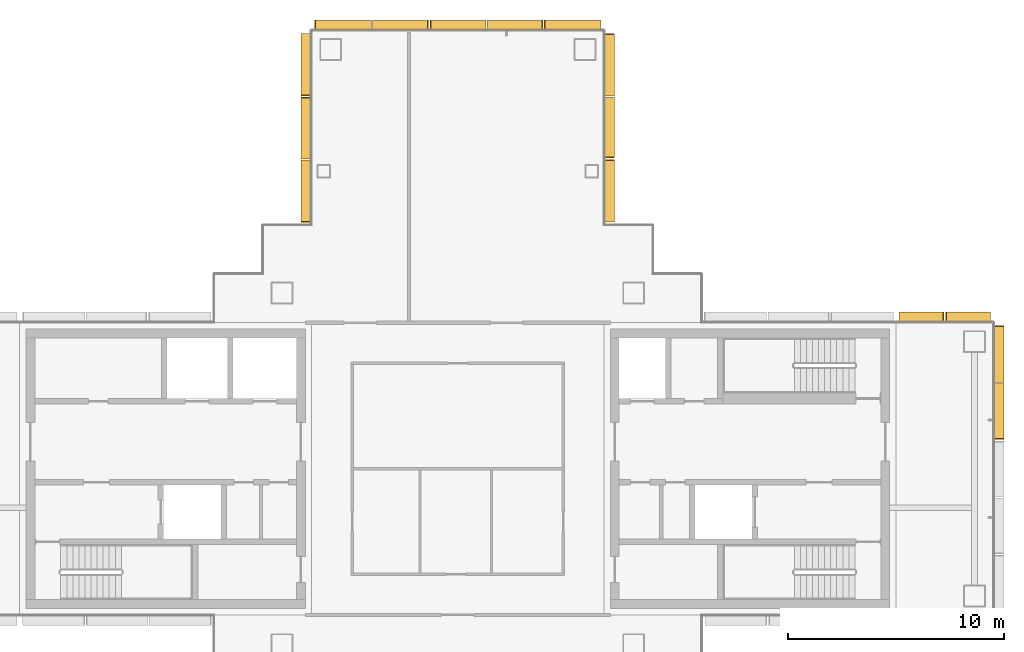
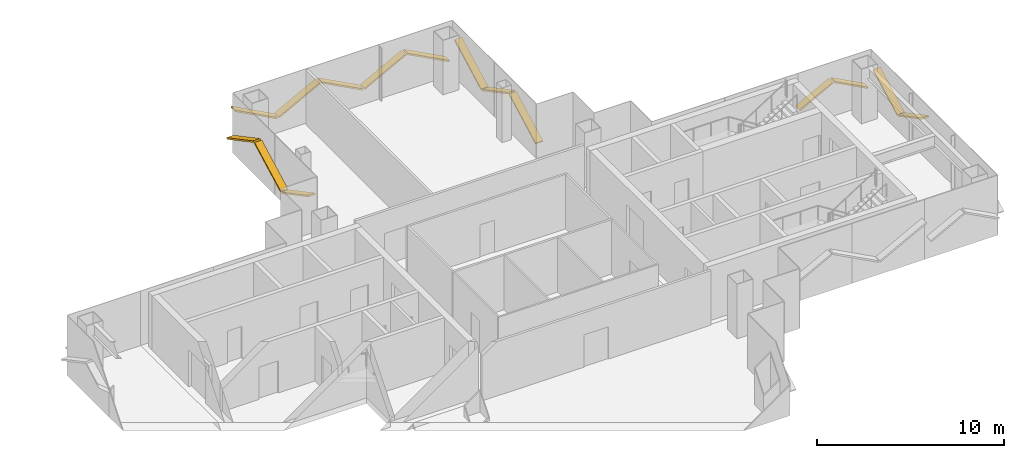
# One storey, part 16 of 17: 15 shading devices.
"""IFC4 building model written with IfcOpenShell, lengths in metres."""

from ifc_helpers import new_model, si_unit, direction, frame, origin, origin_2d, place, context, subcontext, project, spatial, rectangle, extrude, material, material_profile, profile_set, type_object, element, save


model = new_model("IFC4")

# Units and contexts
model_context = context("Model", 3, precision=1e-05, world=origin(), true_north=direction((0.0, 1.0)))
body_context = subcontext(model_context, "Body", "Model", "MODEL_VIEW")
ifc_project = project(units=[si_unit("LENGTHUNIT", "METRE"), si_unit("AREAUNIT", "SQUARE_METRE"), si_unit("VOLUMEUNIT", "CUBIC_METRE"), si_unit("PLANEANGLEUNIT", "RADIAN"), si_unit("MASSUNIT", "GRAM", prefix="KILO")], contexts=[model_context])

# Site, building, storey
site_placement = place(None, origin())
site = spatial("IfcSite", under=ifc_project, at=site_placement, CompositionType="ELEMENT")
building_placement = place(site_placement, origin())
building = spatial("IfcBuilding", under=site, at=building_placement, Name="Shamsa Quay Exchange Towers", CompositionType="ELEMENT")
storey_placement = place(building_placement, frame((0.0, 0.0, 217.800048828125)))
storey = spatial("IfcBuildingStorey", under=building, at=storey_placement, Name="L52", CompositionType="ELEMENT", Elevation=217.800048828125)

# Shading devices
ifc_material = material(Name="Aluminium EN AW-6063 T6, black anodised", Category="aluminium")
ifc_material_profile = material_profile(ifc_material, rectangle(XDim=0.449951171875, YDim=0.10009765625, at=origin_2d()), Name="FIN450x100")
ifc_profile_set = profile_set([ifc_material_profile], Name="Aluminium EN AW-6063 T6, black anodised")
shading_device_type = type_object("IfcShadingDeviceType", Name="FIN 450x100 BLACK ALUMINIUM", PredefinedType="USERDEFINED", material=ifc_profile_set)
shading_device_1_placement = place(storey_placement, frame((58.764892578125, 1.3701171875, 2.275146484375), z_axis=(0.0, 0.882925540975, -0.469513033997), x_axis=(-1.0, 0.0, 0.0)))
element("IfcShadingDevice", 1, at=shading_device_1_placement, inside=storey, type_object=shading_device_type, Name="FIN T2 chevron rib", ObjectType="FIN", PredefinedType="USERDEFINED", context=body_context, shape_type="SweptSolid", body=[
    extrude(rectangle(XDim=0.449951171875, YDim=0.10009765625, at=origin_2d()), origin(), (0.0, 0.0, 1.0), 2.87646484375),
])
shading_device_2_placement = place(storey_placement, frame((58.764892578125, 4.010009765625, 0.911376953125), z_axis=(0.0, 0.882944327895, 0.469477703238), x_axis=(-1.0, 0.0, 0.0)))
element("IfcShadingDevice", 2, at=shading_device_2_placement, inside=storey, type_object=shading_device_type, Name="FIN T2 chevron rib", ObjectType="FIN", PredefinedType="USERDEFINED", context=body_context, shape_type="SweptSolid", body=[
    extrude(rectangle(XDim=0.449951171875, YDim=0.10009765625, at=origin_2d()), origin(), (0.0, 0.0, 1.0), 2.933349609375),
])
for number, where, z_axis, x_axis, name in (
    (3, (58.35009765625, 7.014892578125, 1.054931640625), (-0.882937310539, 0.0, 0.469490900507), (0.0, -1.0, 0.0), "FIN T2 chevron rib"),
    (4, (56.199951171875, 7.014892578125, 2.14501953125), (-0.882937310539, 0.0, -0.469490900507), (0.0, -1.0, 0.0), "FIN T2 chevron rib"),
):
    element("IfcShadingDevice", number, at=place(storey_placement, frame(where, z_axis=z_axis, x_axis=x_axis)), inside=storey, type_object=shading_device_type, Name=name, ObjectType="FIN", PredefinedType="USERDEFINED", context=body_context, shape_type="SweptSolid", body=[
        extrude(rectangle(XDim=0.449951171875, YDim=0.10009765625, at=origin_2d()), origin(), (0.0, 0.0, 1.0), 2.32177734375),
    ])
shading_device_3_placement = place(storey_placement, frame((40.764892578125, 11.43798828125, 0.845703125), z_axis=(0.0, 0.882964189293, 0.469440348102), x_axis=(-1.0, 0.0, 0.0)))
element("IfcShadingDevice", 5, at=shading_device_3_placement, inside=storey, type_object=shading_device_type, Name="FIN T2 chevron rib", ObjectType="FIN", PredefinedType="USERDEFINED", context=body_context, shape_type="SweptSolid", body=[
    extrude(rectangle(XDim=0.449951171875, YDim=0.10009765625, at=origin_2d()), origin(), (0.0, 0.0, 1.0), 3.21337890625),
])
shading_device_4_placement = place(storey_placement, frame((40.764892578125, 14.375244140625, 2.341064453125), z_axis=(0.0, 0.882932416125, -0.469500104957), x_axis=(-1.0, 0.0, 0.0)))
element("IfcShadingDevice", 6, at=shading_device_4_placement, inside=storey, type_object=shading_device_type, Name="FIN T2 chevron rib", ObjectType="FIN", PredefinedType="USERDEFINED", context=body_context, shape_type="SweptSolid", body=[
    extrude(rectangle(XDim=0.449951171875, YDim=0.10009765625, at=origin_2d()), origin(), (0.0, 0.0, 1.0), 3.156982421875),
])
shading_device_5_placement = place(storey_placement, frame((40.764892578125, 17.2626953125, 0.845703125), z_axis=(0.0, 0.882964189293, 0.469440348102), x_axis=(-1.0, 0.0, 0.0)))
element("IfcShadingDevice", 7, at=shading_device_5_placement, inside=storey, type_object=shading_device_type, Name="FIN T2 chevron rib", ObjectType="FIN", PredefinedType="USERDEFINED", context=body_context, shape_type="SweptSolid", body=[
    extrude(rectangle(XDim=0.449951171875, YDim=0.10009765625, at=origin_2d()), origin(), (0.0, 0.0, 1.0), 3.21337890625),
])
shading_device_6_placement = place(storey_placement, frame((40.35009765625, 20.514892578125, 0.911376953125), z_axis=(-0.882944327895, 0.0, 0.469477703238), x_axis=(0.0, -1.0, 0.0)))
element("IfcShadingDevice", 8, at=shading_device_6_placement, inside=storey, type_object=shading_device_type, Name="FIN T2 chevron rib", ObjectType="FIN", PredefinedType="USERDEFINED", context=body_context, shape_type="SweptSolid", body=[
    extrude(rectangle(XDim=0.449951171875, YDim=0.10009765625, at=origin_2d()), origin(), (0.0, 0.0, 1.0), 2.933349609375),
])
shading_device_7_placement = place(storey_placement, frame((37.659912109375, 20.514892578125, 2.275146484375), z_axis=(-0.882925540975, 0.0, -0.469513033997), x_axis=(0.0, -1.0, 0.0)))
element("IfcShadingDevice", 9, at=shading_device_7_placement, inside=storey, type_object=shading_device_type, Name="FIN T2 chevron rib", ObjectType="FIN", PredefinedType="USERDEFINED", context=body_context, shape_type="SweptSolid", body=[
    extrude(rectangle(XDim=0.449951171875, YDim=0.10009765625, at=origin_2d()), origin(), (0.0, 0.0, 1.0), 2.87646484375),
])
shading_device_8_placement = place(storey_placement, frame((35.02001953125, 20.514892578125, 0.924560546875), z_axis=(-0.882944248312, 0.0, 0.469477852909), x_axis=(0.0, -1.0, 0.0)))
element("IfcShadingDevice", 10, at=shading_device_8_placement, inside=storey, type_object=shading_device_type, Name="FIN T2 chevron rib", ObjectType="FIN", PredefinedType="USERDEFINED", context=body_context, shape_type="SweptSolid", body=[
    extrude(rectangle(XDim=0.449951171875, YDim=0.10009765625, at=origin_2d()), origin(), (0.0, 0.0, 1.0), 2.876708984375),
])
shading_device_9_placement = place(storey_placement, frame((32.3798828125, 20.514892578125, 2.275146484375), z_axis=(-0.882925540975, 0.0, -0.469513033997), x_axis=(0.0, -1.0, 0.0)))
element("IfcShadingDevice", 11, at=shading_device_9_placement, inside=storey, type_object=shading_device_type, Name="FIN T2 chevron rib", ObjectType="FIN", PredefinedType="USERDEFINED", context=body_context, shape_type="SweptSolid", body=[
    extrude(rectangle(XDim=0.449951171875, YDim=0.10009765625, at=origin_2d()), origin(), (0.0, 0.0, 1.0), 2.87646484375),
])
shading_device_10_placement = place(storey_placement, frame((29.739990234375, 20.514892578125, 0.911376953125), z_axis=(-0.882944327895, 0.0, 0.469477703238), x_axis=(0.0, -1.0, 0.0)))
element("IfcShadingDevice", 12, at=shading_device_10_placement, inside=storey, type_object=shading_device_type, Name="FIN T2 chevron rib", ObjectType="FIN", PredefinedType="USERDEFINED", context=body_context, shape_type="SweptSolid", body=[
    extrude(rectangle(XDim=0.449951171875, YDim=0.10009765625, at=origin_2d()), origin(), (0.0, 0.0, 1.0), 2.933349609375),
])
shading_device_11_placement = place(storey_placement, frame((26.735107421875, 20.10009765625, 0.84228515625), z_axis=(0.0, -0.882953107739, 0.469461190658), x_axis=(1.0, 0.0, 0.0)))
element("IfcShadingDevice", 13, at=shading_device_11_placement, inside=storey, type_object=shading_device_type, Name="FIN T2 chevron rib", ObjectType="FIN", PredefinedType="USERDEFINED", context=body_context, shape_type="SweptSolid", body=[
    extrude(rectangle(XDim=0.449951171875, YDim=0.10009765625, at=origin_2d()), origin(), (0.0, 0.0, 1.0), 3.22802734375),
])
shading_device_12_placement = place(storey_placement, frame((26.735107421875, 17.14990234375, 2.34423828125), z_axis=(0.0, -0.882936223509, -0.469492944799), x_axis=(1.0, 0.0, 0.0)))
element("IfcShadingDevice", 14, at=shading_device_12_placement, inside=storey, type_object=shading_device_type, Name="FIN T2 chevron rib", ObjectType="FIN", PredefinedType="USERDEFINED", context=body_context, shape_type="SweptSolid", body=[
    extrude(rectangle(XDim=0.449951171875, YDim=0.10009765625, at=origin_2d()), origin(), (0.0, 0.0, 1.0), 3.1708984375),
])
shading_device_13_placement = place(storey_placement, frame((26.735107421875, 14.25, 0.84228515625), z_axis=(0.0, -0.882953107739, 0.469461190658), x_axis=(1.0, 0.0, 0.0)))
element("IfcShadingDevice", 15, at=shading_device_13_placement, inside=storey, type_object=shading_device_type, Name="FIN T2 chevron rib", ObjectType="FIN", PredefinedType="USERDEFINED", context=body_context, shape_type="SweptSolid", body=[
    extrude(rectangle(XDim=0.449951171875, YDim=0.10009765625, at=origin_2d()), origin(), (0.0, 0.0, 1.0), 3.22802734375),
])

save(model, "model.ifc")
